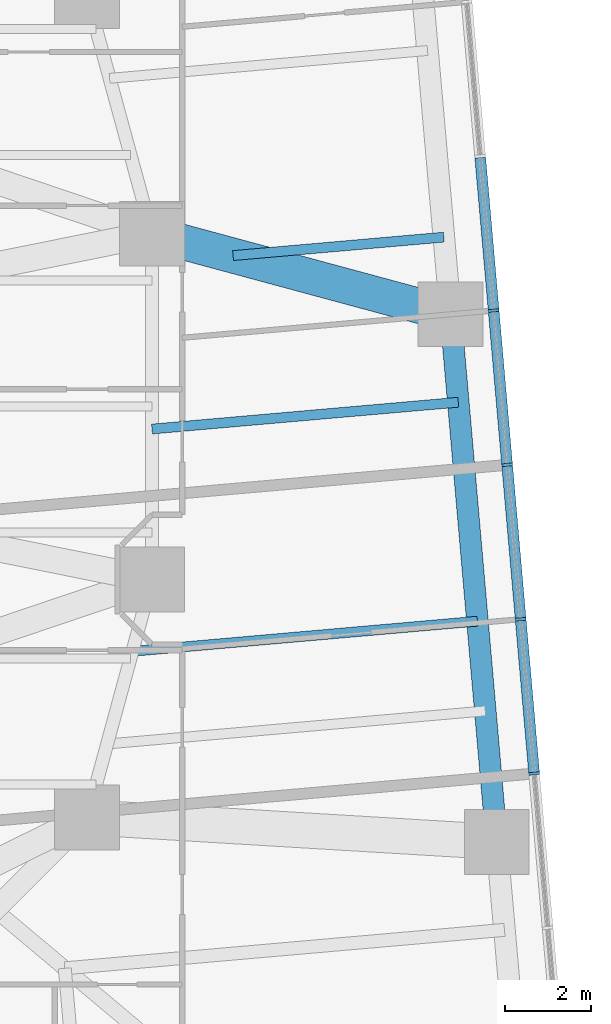
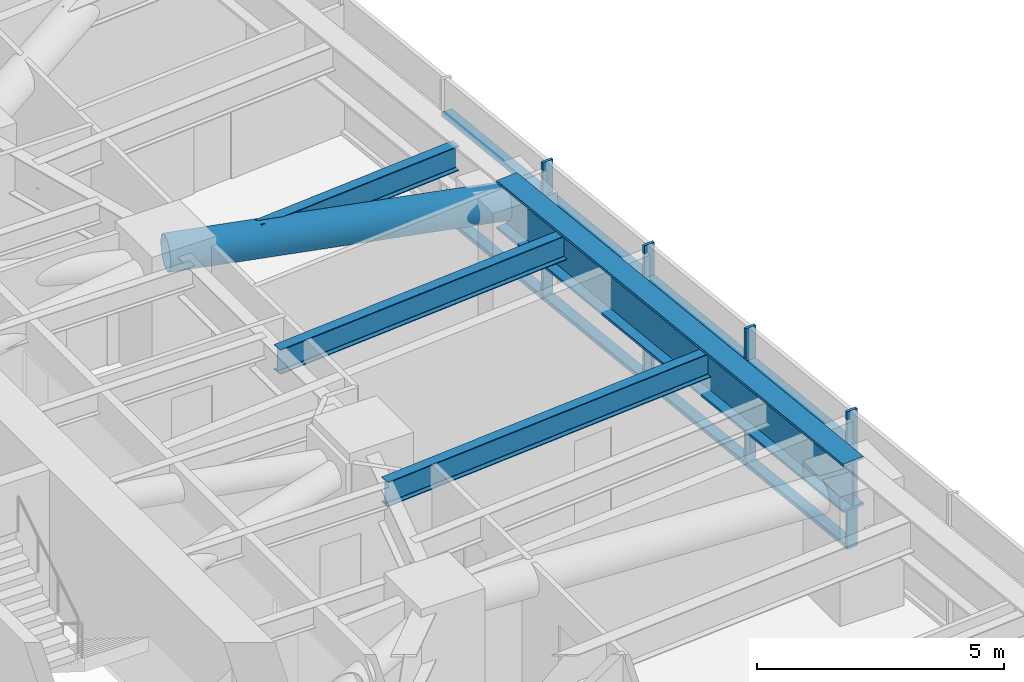
# One storey, part 5 of 18: 13 members, 4 beams, 1 element without a shape of its own.
"""IFC4 building model written with IfcOpenShell, lengths in metres."""

from ifc_helpers import new_model, si_unit, direction, frame, origin, origin_2d, place, context, subcontext, project, spatial, rectangle, hollow_circle, i_section, extrude, material, material_profile, profile_set, type_object, element, aggregate, save


model = new_model("IFC4")

# Units and contexts
model_context = context("Model", 3, precision=1e-05, world=origin(), true_north=direction((0.0, 1.0)))
body_context = subcontext(model_context, "Body", "Model", "MODEL_VIEW")
ifc_project = project(units=[si_unit("LENGTHUNIT", "METRE"), si_unit("AREAUNIT", "SQUARE_METRE"), si_unit("VOLUMEUNIT", "CUBIC_METRE"), si_unit("PLANEANGLEUNIT", "RADIAN"), si_unit("MASSUNIT", "GRAM", prefix="KILO")], contexts=[model_context])

# Site, building, storey
site_placement = place(None, origin())
site = spatial("IfcSite", under=ifc_project, at=site_placement, CompositionType="ELEMENT")
building_placement = place(site_placement, origin())
building = spatial("IfcBuilding", under=site, at=building_placement, Name="Torsade Residences", CompositionType="ELEMENT")
storey_placement = place(building_placement, frame((0.0, 0.0, 71.0)))
storey = spatial("IfcBuildingStorey", under=building, at=storey_placement, Name="L19", CompositionType="ELEMENT", Elevation=71.0)

# Curtain wall, members
ifc_material_1 = material(Name="Aluminium and glass", Category="aluminium")
curtain_wall_type = type_object("IfcCurtainWallType", Name="FRITTED GLASS CURTAIN WALL LOW ZONE", PredefinedType="NOTDEFINED", material=ifc_material_1)
curtain_wall_placement = place(storey_placement, origin())
curtain_wall = element("IfcCurtainWall", 1, at=curtain_wall_placement, inside=storey, type_object=curtain_wall_type, Name="Curtain wall L19 face 4", PredefinedType="NOTDEFINED")
ifc_material_2 = material(Name="Aluminium mullion", Category="aluminium")
ifc_material_profile_1 = material_profile(ifc_material_2, rectangle(XDim=0.25, YDim=0.06494140625, at=origin_2d()), Name="CURTAIN WALL MULLION 250x65")
ifc_profile_set_1 = profile_set([ifc_material_profile_1], Name="Aluminium mullion")
member_type_1 = type_object("IfcMemberType", Name="CURTAIN WALL MULLION 250x65", PredefinedType="MULLION", material=ifc_profile_set_1)
member_1_placement = place(storey_placement, frame((66.33984375, 21.513427734375, 0.0), z_axis=(0.0, 0.0, 1.0), x_axis=(-0.996194697964, -0.087155744208, 0.0)))
member_1 = element("IfcMember", 2, at=member_1_placement, type_object=member_type_1, Name="Mullion 4", PredefinedType="MULLION", context=body_context, shape_type="SweptSolid", body=[
    extrude(rectangle(XDim=0.25, YDim=0.06494140625, at=origin_2d()), origin(), (0.0, 0.0, 1.0), 3.39990234375),
])
member_2_placement = place(storey_placement, frame((66.027587890625, 25.0830078125, 0.0), z_axis=(0.0, 0.0, 1.0), x_axis=(-0.996194697964, -0.087155744208, 0.0)))
member_2 = element("IfcMember", 3, at=member_2_placement, type_object=member_type_1, Name="Mullion 5", PredefinedType="MULLION", context=body_context, shape_type="SweptSolid", body=[
    extrude(rectangle(XDim=0.25, YDim=0.06494140625, at=origin_2d()), origin(), (0.0, 0.0, 1.0), 3.39990234375),
])
member_3_placement = place(storey_placement, frame((65.71533203125, 28.65283203125, 0.0), z_axis=(0.0, 0.0, 1.0), x_axis=(-0.996194697964, -0.087155744208, 0.0)))
member_3 = element("IfcMember", 4, at=member_3_placement, type_object=member_type_1, Name="Mullion 6", PredefinedType="MULLION", context=body_context, shape_type="SweptSolid", body=[
    extrude(rectangle(XDim=0.25, YDim=0.06494140625, at=origin_2d()), origin(), (0.0, 0.0, 1.0), 3.39990234375),
])
member_4_placement = place(storey_placement, frame((65.403076171875, 32.222412109375, 0.0), z_axis=(0.0, 0.0, 1.0), x_axis=(-0.996194697964, -0.087155744208, 0.0)))
member_4 = element("IfcMember", 5, at=member_4_placement, type_object=member_type_1, Name="Mullion 7", PredefinedType="MULLION", context=body_context, shape_type="SweptSolid", body=[
    extrude(rectangle(XDim=0.25, YDim=0.06494140625, at=origin_2d()), origin(), (0.0, 0.0, 1.0), 3.39990234375),
])
ifc_material_3 = material(Name="Aluminium transom", Category="aluminium")
ifc_material_profile_2 = material_profile(ifc_material_3, rectangle(XDim=0.25, YDim=0.10009765625, at=origin_2d()), Name="CURTAIN WALL TRANSOM 250x100")
ifc_profile_set_2 = profile_set([ifc_material_profile_2], Name="Aluminium transom")
member_type_2 = type_object("IfcMemberType", Name="CURTAIN WALL TRANSOM 250x100", PredefinedType="USERDEFINED", material=ifc_profile_set_2)
member_5_placement = place(storey_placement, frame((66.337158203125, 21.545654296875, 0.050048828125), z_axis=(-0.08715059597, 0.996195148363, 0.0), x_axis=(-0.996195148363, -0.08715059597, 0.0)))
member_5 = element("IfcMember", 6, at=member_5_placement, type_object=member_type_2, Name="Transom 4.1", ObjectType="TRANSOM", PredefinedType="USERDEFINED", context=body_context, shape_type="SweptSolid", body=[
    extrude(rectangle(XDim=0.25, YDim=0.10009765625, at=origin_2d()), origin(), (0.0, 0.0, 1.0), 3.5185546875),
])
member_6_placement = place(storey_placement, frame((66.337158203125, 21.545654296875, 2.550048828125), z_axis=(-0.08715059597, 0.996195148363, 0.0), x_axis=(-0.996195148363, -0.08715059597, 0.0)))
member_6 = element("IfcMember", 7, at=member_6_placement, type_object=member_type_2, Name="Transom 4.2", ObjectType="TRANSOM", PredefinedType="USERDEFINED", context=body_context, shape_type="SweptSolid", body=[
    extrude(rectangle(XDim=0.25, YDim=0.10009765625, at=origin_2d()), origin(), (0.0, 0.0, 1.0), 3.5185546875),
])
member_7_placement = place(storey_placement, frame((66.024658203125, 25.115478515625, 0.050048828125), z_axis=(-0.087156620531, 0.996194621295, 0.0), x_axis=(-0.996194621295, -0.087156620531, 0.0)))
member_7 = element("IfcMember", 8, at=member_7_placement, type_object=member_type_2, Name="Transom 5.1", ObjectType="TRANSOM", PredefinedType="USERDEFINED", context=body_context, shape_type="SweptSolid", body=[
    extrude(rectangle(XDim=0.25, YDim=0.10009765625, at=origin_2d()), origin(), (0.0, 0.0, 1.0), 3.518310546875),
])
member_8_placement = place(storey_placement, frame((66.024658203125, 25.115478515625, 2.550048828125), z_axis=(-0.087156620531, 0.996194621295, 0.0), x_axis=(-0.996194621295, -0.087156620531, 0.0)))
member_8 = element("IfcMember", 9, at=member_8_placement, type_object=member_type_2, Name="Transom 5.2", ObjectType="TRANSOM", PredefinedType="USERDEFINED", context=body_context, shape_type="SweptSolid", body=[
    extrude(rectangle(XDim=0.25, YDim=0.10009765625, at=origin_2d()), origin(), (0.0, 0.0, 1.0), 3.518310546875),
])
member_9_placement = place(storey_placement, frame((65.71240234375, 28.68505859375, 0.050048828125), z_axis=(-0.08715059597, 0.996195148363, 0.0), x_axis=(-0.996195148363, -0.08715059597, 0.0)))
member_9 = element("IfcMember", 10, at=member_9_placement, type_object=member_type_2, Name="Transom 6.1", ObjectType="TRANSOM", PredefinedType="USERDEFINED", context=body_context, shape_type="SweptSolid", body=[
    extrude(rectangle(XDim=0.25, YDim=0.10009765625, at=origin_2d()), origin(), (0.0, 0.0, 1.0), 3.5185546875),
])
member_10_placement = place(storey_placement, frame((65.71240234375, 28.68505859375, 2.550048828125), z_axis=(-0.08715059597, 0.996195148363, 0.0), x_axis=(-0.996195148363, -0.08715059597, 0.0)))
member_10 = element("IfcMember", 11, at=member_10_placement, type_object=member_type_2, Name="Transom 6.2", ObjectType="TRANSOM", PredefinedType="USERDEFINED", context=body_context, shape_type="SweptSolid", body=[
    extrude(rectangle(XDim=0.25, YDim=0.10009765625, at=origin_2d()), origin(), (0.0, 0.0, 1.0), 3.5185546875),
])
member_11_placement = place(storey_placement, frame((65.400146484375, 32.2548828125, 0.050048828125), z_axis=(-0.087156620531, 0.996194621295, 0.0), x_axis=(-0.996194621295, -0.087156620531, 0.0)))
member_11 = element("IfcMember", 12, at=member_11_placement, type_object=member_type_2, Name="Transom 7.1", ObjectType="TRANSOM", PredefinedType="USERDEFINED", context=body_context, shape_type="SweptSolid", body=[
    extrude(rectangle(XDim=0.25, YDim=0.10009765625, at=origin_2d()), origin(), (0.0, 0.0, 1.0), 3.518310546875),
])
member_12_placement = place(storey_placement, frame((65.400146484375, 32.2548828125, 2.550048828125), z_axis=(-0.087156620531, 0.996194621295, 0.0), x_axis=(-0.996194621295, -0.087156620531, 0.0)))
member_12 = element("IfcMember", 13, at=member_12_placement, type_object=member_type_2, Name="Transom 7.2", ObjectType="TRANSOM", PredefinedType="USERDEFINED", context=body_context, shape_type="SweptSolid", body=[
    extrude(rectangle(XDim=0.25, YDim=0.10009765625, at=origin_2d()), origin(), (0.0, 0.0, 1.0), 3.518310546875),
])
aggregate(curtain_wall, [member_1, member_2, member_3, member_4, member_5, member_6, member_7, member_8, member_9, member_10, member_11, member_12])

# Beams
ifc_material_4 = material(Name="Steel grade 300", Category="steel")
ifc_material_profile_3 = material_profile(ifc_material_4, i_section(OverallWidth=0.22900390625, OverallDepth=0.612060546875, WebThickness=0.011962890625, FlangeThickness=0.01953125, FilletRadius=0.013916015625, at=origin_2d()), Name="610UB125")
ifc_profile_set_3 = profile_set([ifc_material_profile_3], Name="Steel grade 300")
beam_type_1 = type_object("IfcBeamType", Name="SECONDARY BEAM 610UB125", PredefinedType="JOIST", material=ifc_profile_set_3)
beam_1_placement = place(storey_placement, frame((65.02783203125, 25.037353515625, 2.89404296875), z_axis=(-0.996194478268, -0.087158255311, 0.0), x_axis=(0.087158255311, -0.996194478268, 0.0)))
element("IfcBeam", 14, at=beam_1_placement, inside=storey, type_object=beam_type_1, Name="Floor beam FE05 L20", PredefinedType="JOIST", context=body_context, shape_type="SweptSolid", body=[
    extrude(i_section(OverallWidth=0.22900390625, OverallDepth=0.612060546875, WebThickness=0.011962890625, FlangeThickness=0.01953125, FilletRadius=0.013916015625, at=origin_2d()), origin(), (0.0, 0.0, 1.0), 8.01123046875),
])
beam_2_placement = place(storey_placement, frame((64.584716796875, 30.101318359375, 2.89404296875), z_axis=(-0.996197182094, -0.087127345813, 0.0), x_axis=(0.087127345813, -0.996197182094, 0.0)))
element("IfcBeam", 15, at=beam_2_placement, inside=storey, type_object=beam_type_1, Name="Floor beam FE06 L20", PredefinedType="JOIST", context=body_context, shape_type="SweptSolid", body=[
    extrude(i_section(OverallWidth=0.22900390625, OverallDepth=0.612060546875, WebThickness=0.011962890625, FlangeThickness=0.01953125, FilletRadius=0.013916015625, at=origin_2d()), origin(), (0.0, 0.0, 1.0), 7.11181640625),
])
beam_3_placement = place(storey_placement, frame((64.250732421875, 33.920166015625, 2.89404296875), z_axis=(-0.996194962831, -0.087152716714, 0.0), x_axis=(0.087152716714, -0.996194962831, 0.0)))
element("IfcBeam", 16, at=beam_3_placement, inside=storey, type_object=beam_type_1, Name="Floor beam FE07 L20", PredefinedType="JOIST", context=body_context, shape_type="SweptSolid", body=[
    extrude(i_section(OverallWidth=0.22900390625, OverallDepth=0.612060546875, WebThickness=0.011962890625, FlangeThickness=0.01953125, FilletRadius=0.013916015625, at=origin_2d()), origin(), (0.0, 0.0, 1.0), 4.893798828125),
])

# Member
ifc_material_5 = material(Name="Steel grade 450", Category="steel")
ifc_material_profile_4 = material_profile(ifc_material_5, hollow_circle(Radius=0.406494140625, WallThickness=0.02490234375, at=origin_2d()), Name="813.0x25.0CHS")
ifc_profile_set_4 = profile_set([ifc_material_profile_4], Name="Steel grade 450")
member_type_3 = type_object("IfcMemberType", Name="TRANSFER FLOOR STRUT 813.0x25.0CHS", PredefinedType="STRUT", material=ifc_profile_set_4)
member_13_placement = place(storey_placement, frame((64.40673828125, 32.13525390625, 2.800048828125), z_axis=(-0.965431658918, 0.260656310032, 0.0), x_axis=(-0.260656310032, -0.965431658918, 0.0)))
element("IfcMember", 17, at=member_13_placement, inside=storey, type_object=member_type_3, Name="Transfer floor strut TT2 bottom 07IR02", PredefinedType="STRUT", context=body_context, shape_type="SweptSolid", body=[
    extrude(hollow_circle(Radius=0.406494140625, WallThickness=0.02490234375, at=origin_2d()), origin(), (0.0, 0.0, 1.0), 7.154052734375),
])

# Beam
ifc_material_6 = material(Name="Steel grade 350", Category="steel")
ifc_material_profile_5 = material_profile(ifc_material_6, i_section(OverallWidth=0.5, OverallDepth=1.199951171875, WebThickness=0.035888671875, FlangeThickness=0.06005859375, at=origin_2d()), Name="1200x500x60x36WPG")
ifc_profile_set_5 = profile_set([ifc_material_profile_5], Name="Steel grade 350")
beam_type_2 = type_object("IfcBeamType", Name="TRANSFER TRUSS CHORD 1200x500x60x36WPG", PredefinedType="USERDEFINED", material=ifc_profile_set_5)
beam_4_placement = place(storey_placement, frame((65.474365234375, 19.931884765625, 2.800048828125), z_axis=(-0.08715335259, 0.996194907201, 0.0), x_axis=(-0.996194907201, -0.08715335259, 0.0)))
element("IfcBeam", 18, at=beam_4_placement, inside=storey, type_object=beam_type_2, Name="Transfer truss TT2 bottom chord 06", ObjectType="TRANSFER TRUSS CHORD", PredefinedType="USERDEFINED", context=body_context, shape_type="SweptSolid", body=[
    extrude(i_section(OverallWidth=0.5, OverallDepth=1.199951171875, WebThickness=0.035888671875, FlangeThickness=0.06005859375, at=origin_2d()), origin(), (0.0, 0.0, 1.0), 12.25),
])

save(model, "model.ifc")
